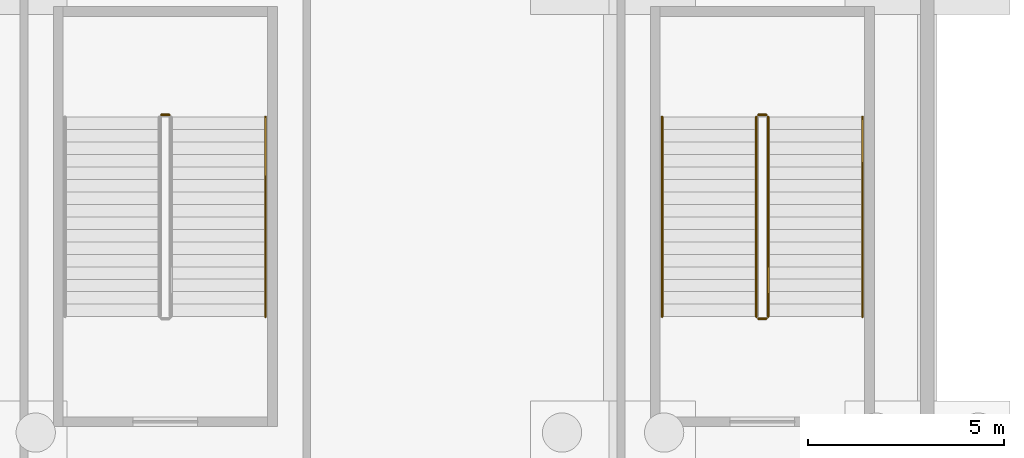
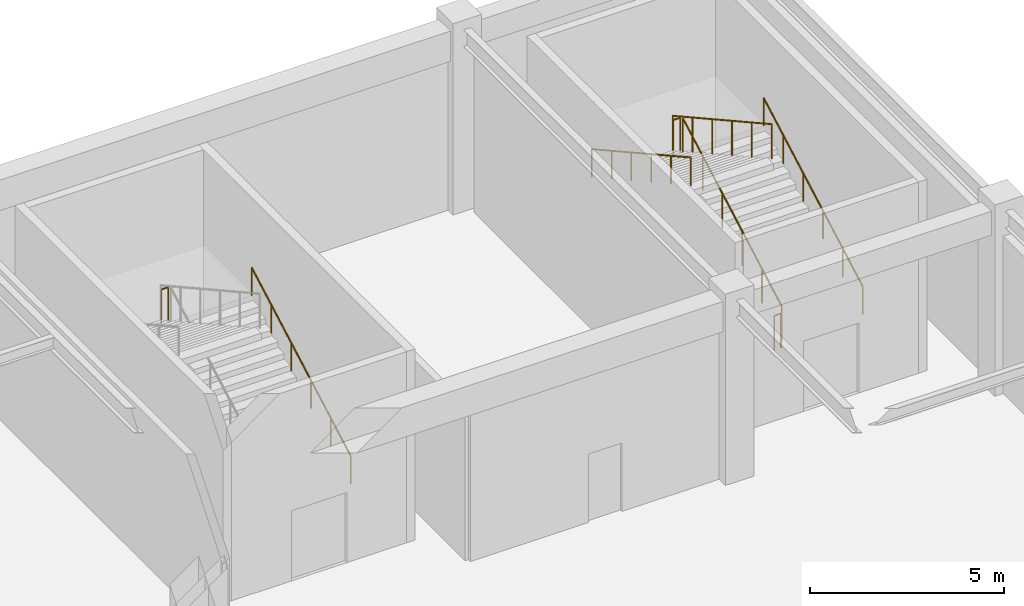
# One storey, part 120 of 121: 8 railings.
"""IFC4 building model written with IfcOpenShell, lengths in metres."""

import ifcopenshell
import ifcopenshell.guid

model = None  # the IFC model being written
_history = None  # IfcOwnerHistory: only IFC2X3 demands one
_inside = {}  # id of a spatial element -> (the spatial element, [elements in it])
_under = {}  # id of a project, library or spatial element -> (it, [spatial elements below it])
_declared = {}  # id of a project -> (the project, [libraries it declares])
_typed = {}  # id of a type object -> (the type object, [elements of that type])
_made_of = {}  # id of a material, layer set ... -> (it, [elements and type objects made of it])


def new_model(schema):
    """Start an empty IFC model of exactly this schema.

    Asked for "IFC4X3", IfcOpenShell would pick the latest addendum, in which some entities
    have other attributes; the version numbers below select the first issue.
    IFC2X3 requires an IfcOwnerHistory on every rooted entity: one is made here for all.
    """
    global model, _history
    if schema == "IFC4X3":
        model = ifcopenshell.file(schema_version=(4, 3, 0, 0))
    else:
        model = ifcopenshell.file(schema=schema)
    _inside.clear()
    _under.clear()
    _declared.clear()
    _typed.clear()
    _made_of.clear()
    _history = None
    if model.schema == "IFC2X3":
        org = make("IfcOrganization", Name="unknown")
        user = make(
            "IfcPersonAndOrganization",
            ThePerson=make("IfcPerson", FamilyName="unknown"),
            TheOrganization=org,
        )
        app = make(
            "IfcApplication",
            ApplicationDeveloper=org,
            Version="unknown",
            ApplicationFullName="unknown",
            ApplicationIdentifier="unknown",
        )
        _history = make(
            "IfcOwnerHistory",
            OwningUser=user,
            OwningApplication=app,
            ChangeAction="ADDED",
            CreationDate=0,
        )
    return model


def make(cls, **values):
    """One entity of the class cls with the attributes given. An attribute that is None is left unset."""
    return model.create_entity(
        cls, **{name: value for name, value in values.items() if value is not None}
    )


def rooted(cls, **values):
    """An entity with a GlobalId (a new one), such as an element, a storey or a relation."""
    return make(cls, GlobalId=ifcopenshell.guid.new(), OwnerHistory=_history, **values)


def si_unit(unit_type, name, prefix=None):
    """IfcSIUnit, for example si_unit("LENGTHUNIT", "METRE", prefix="MILLI")."""
    return make("IfcSIUnit", UnitType=unit_type, Prefix=prefix, Name=name)


def assignment(units):
    """IfcUnitAssignment: the units of a project."""
    return None if units is None else make("IfcUnitAssignment", Units=units)


def point(xyz):
    """IfcCartesianPoint."""
    return None if xyz is None else make("IfcCartesianPoint", Coordinates=xyz)


def direction(xyz):
    """IfcDirection."""
    return None if xyz is None else make("IfcDirection", DirectionRatios=xyz)


def frame(location, z_axis=None, x_axis=None):
    """IfcAxis2Placement3D, a coordinate frame: its origin and axes. An axis left out is left unset."""
    return make(
        "IfcAxis2Placement3D",
        Location=point(location),
        Axis=direction(z_axis),
        RefDirection=direction(x_axis),
    )


def frame_2d(location, x_axis=None):
    """IfcAxis2Placement2D, a coordinate frame in the plane: its origin and x axis."""
    return make(
        "IfcAxis2Placement2D", Location=point(location), RefDirection=direction(x_axis)
    )


def origin():
    """The frame at (0, 0, 0) with its axes left unset."""
    return frame((0.0, 0.0, 0.0))


def origin_2d():
    """The frame at (0, 0) in the plane with its x axis left unset."""
    return frame_2d((0.0, 0.0))


def place(relative_to, where):
    """IfcLocalPlacement: puts the frame where relative to a parent placement (None: the world)."""
    return make(
        "IfcLocalPlacement", PlacementRelTo=relative_to, RelativePlacement=where
    )


def context(
    kind, dimensions, precision=None, world=None, true_north=None, identifier=None
):
    """IfcGeometricRepresentationContext, for example the 3D "Model" context."""
    return make(
        "IfcGeometricRepresentationContext",
        ContextIdentifier=identifier,
        ContextType=kind,
        CoordinateSpaceDimension=dimensions,
        Precision=precision,
        WorldCoordinateSystem=world,
        TrueNorth=true_north,
    )


def subcontext(parent, identifier, kind, view, scale=None):
    """IfcGeometricRepresentationSubContext, for example "Body" below "Model"."""
    return make(
        "IfcGeometricRepresentationSubContext",
        ContextIdentifier=identifier,
        ContextType=kind,
        ParentContext=parent,
        TargetScale=scale,
        TargetView=view,
    )


def project(units=None, contexts=None):
    """IfcProject with its units and contexts."""
    return rooted(
        "IfcProject",
        Name="project",
        RepresentationContexts=contexts,
        UnitsInContext=assignment(units),
    )


def spatial(cls, under=None, at=None, **own):
    """A site, building, storey or space (cls), placed at a placement, below another one or the project."""
    s = rooted(cls, ObjectPlacement=at, **own)
    if under is not None:
        _under.setdefault(under.id(), (under, []))[1].append(s)
    return s


def profile(cls, at=None, kind="AREA", **sizes):
    """A parametric profile (cls). Its sizes go by their IFC names, for example OverallWidth=200.0."""
    return make(cls, ProfileType=kind, Position=at, **sizes)


def circle(**sizes):
    """IfcCircleProfileDef."""
    return profile("IfcCircleProfileDef", **sizes)


def extrude(swept, where, along, depth):
    """IfcExtrudedAreaSolid: the profile swept, set in the frame where, extruded along a direction by depth."""
    return make(
        "IfcExtrudedAreaSolid",
        SweptArea=swept,
        Position=where,
        ExtrudedDirection=direction(along),
        Depth=depth,
    )


def shape(context_of_items, identifier, shape_type, items):
    """IfcShapeRepresentation: the items that make up one representation, for example the "Body"."""
    return make(
        "IfcShapeRepresentation",
        ContextOfItems=context_of_items,
        RepresentationIdentifier=identifier,
        RepresentationType=shape_type,
        Items=items,
    )


def material(Name=None, Category=None):
    """IfcMaterial."""
    return make("IfcMaterial", Name=Name, Category=Category)


def made_of(thing, what):
    """Note that an element or type object is made of a material, layer set ...; save() writes the relation."""
    if what is not None:
        _made_of.setdefault(what.id(), (what, []))[1].append(thing)
    return thing


def type_object(cls, material=None, **own):
    """A type object (cls), such as IfcWallType, which elements share."""
    return made_of(rooted(cls, **own), material)


def element(
    cls,
    number,
    at=None,
    inside=None,
    cuts=None,
    type_object=None,
    material=None,
    context=None,
    identifier="Body",
    shape_type=None,
    held_by="IfcProductDefinitionShape",
    body=None,
    shapes=None,
    **own,
):
    """One element of the class cls, such as IfcWall. Its Tag is "e" and its number.

    at: its placement. inside: the storey or other place that contains it. cuts: it is an
    opening in that element (IfcRelVoidsElement). A single representation is given by context,
    identifier, shape_type and body (its items); several are given by shapes. held_by: the class
    of the entity that holds the representations. save() writes the other relations.
    """
    e = rooted(cls, Tag="e%d" % number, ObjectPlacement=at, **own)
    if body is not None:
        shapes = [shape(context, identifier, shape_type, body)]
    if shapes is not None:
        e.Representation = make(held_by, Representations=shapes)
    if inside is not None:
        _inside.setdefault(inside.id(), (inside, []))[1].append(e)
    if cuts is not None:
        rooted(
            "IfcRelVoidsElement", RelatingBuildingElement=cuts, RelatedOpeningElement=e
        )
    if type_object is not None:
        _typed.setdefault(type_object.id(), (type_object, []))[1].append(e)
    return made_of(e, material)


def aggregate(whole, parts):
    """IfcRelAggregates: a whole, such as a stair, and the parts it consists of."""
    return rooted("IfcRelAggregates", RelatingObject=whole, RelatedObjects=parts)


def save(model, path):
    """Write the relations noted so far, then the file.

    IfcRelAggregates (storeys below a building ...), IfcRelContainedInSpatialStructure (elements
    in a storey), IfcRelDefinesByType, IfcRelAssociatesMaterial and IfcRelDeclares: one each for
    every whole, place, type object, material and project.
    """
    for whole, parts in _under.values():
        aggregate(whole, parts)
    for where, things in _inside.values():
        rooted(
            "IfcRelContainedInSpatialStructure",
            RelatedElements=things,
            RelatingStructure=where,
        )
    for kind, things in _typed.values():
        rooted("IfcRelDefinesByType", RelatedObjects=things, RelatingType=kind)
    for what, things in _made_of.values():
        rooted("IfcRelAssociatesMaterial", RelatedObjects=things, RelatingMaterial=what)
    for by, libraries in _declared.values():
        rooted("IfcRelDeclares", RelatingContext=by, RelatedDefinitions=libraries)
    model.write(path)


model = new_model("IFC4")

# Units and contexts
model_context = context("Model", 3, precision=1e-05, world=origin(), true_north=direction((0.0, 1.0)))
body_context = subcontext(model_context, "Body", "Model", "MODEL_VIEW")
ifc_project = project(units=[si_unit("LENGTHUNIT", "METRE"), si_unit("AREAUNIT", "SQUARE_METRE"), si_unit("VOLUMEUNIT", "CUBIC_METRE"), si_unit("PLANEANGLEUNIT", "RADIAN"), si_unit("MASSUNIT", "GRAM", prefix="KILO")], contexts=[model_context])

# Site, building, storey
site_placement = place(None, origin())
site = spatial("IfcSite", under=ifc_project, at=site_placement, CompositionType="ELEMENT")
building_placement = place(site_placement, origin())
building = spatial("IfcBuilding", under=site, at=building_placement, Name="Cuetzalor Civic Arena", CompositionType="ELEMENT")
storey_placement = place(building_placement, origin())
storey = spatial("IfcBuildingStorey", under=building, at=storey_placement, Name="L00", CompositionType="ELEMENT", Elevation=0.0)

# Railings
ifc_material_1 = material(Name="Reseda-green architectural Steel S355 balustrade", Category="steel")
railing_type_1 = type_object("IfcRailingType", Name="InteriorVoidBalustrade_1100", PredefinedType="BALUSTRADE", material=ifc_material_1)
railing_1_placement = place(storey_placement, frame((52.699951171875, 70.887939453125, 3.0)))
element("IfcRailing", 1, at=railing_1_placement, inside=storey, type_object=railing_type_1, Name="L00 ST-27 stair guard 2", PredefinedType="BALUSTRADE", context=body_context, shape_type="SweptSolid", body=[
    extrude(circle(Radius=0.02392578125, at=origin_2d()), frame((0.0, 0.0, 1.0810546875), z_axis=(-1.0, 0.0, 0.0), x_axis=(0.0, -1.0, 0.0)), (0.0, 0.0, 1.0), 0.199951171875),
    extrude(circle(Radius=0.02099609375, at=origin_2d()), origin(), (0.0, 0.0, 1.0), 1.056884765625),
    extrude(circle(Radius=0.02099609375, at=origin_2d()), frame((-0.199951171875, 0.0, 0.0)), (0.0, 0.0, 1.0), 1.056884765625),
])
railing_2_placement = place(storey_placement, frame((67.949951171875, 65.75, 0.176513671875)))
element("IfcRailing", 2, at=railing_2_placement, inside=storey, type_object=railing_type_1, Name="L00 ST-28 stair guard 1", PredefinedType="BALUSTRADE", context=body_context, shape_type="SweptSolid", body=[
    extrude(circle(Radius=0.02392578125, at=origin_2d()), frame((0.0, 0.0, 1.0810546875), z_axis=(0.0, 0.874384777292, 0.485233202945), x_axis=(-1.0, 0.0, 0.0)), (0.0, 0.0, 1.0), 5.81884765625),
    extrude(circle(Radius=0.02099609375, at=origin_2d()), origin(), (0.0, 0.0, 1.0), 1.056884765625),
    extrude(circle(Radius=0.02099609375, at=origin_2d()), frame((0.0, 1.017578125, 0.564697265625)), (0.0, 0.0, 1.0), 1.056884765625),
    extrude(circle(Radius=0.02099609375, at=origin_2d()), frame((0.0, 2.03515625, 1.12939453125)), (0.0, 0.0, 1.0), 1.056884765625),
    extrude(circle(Radius=0.02099609375, at=origin_2d()), frame((0.0, 3.052734375, 1.694091796875)), (0.0, 0.0, 1.0), 1.056884765625),
    extrude(circle(Radius=0.02099609375, at=origin_2d()), frame((0.0, 4.0703125, 2.2587890625)), (0.0, 0.0, 1.0), 1.056884765625),
    extrude(circle(Radius=0.02099609375, at=origin_2d()), frame((0.0, 5.087890625, 2.823486328125)), (0.0, 0.0, 1.0), 1.056884765625),
])
railing_3_placement = place(storey_placement, frame((67.89990234375, 70.887939453125, 3.0)))
element("IfcRailing", 3, at=railing_3_placement, inside=storey, type_object=railing_type_1, Name="L00 ST-28 stair guard 2", PredefinedType="BALUSTRADE", context=body_context, shape_type="SweptSolid", body=[
    extrude(circle(Radius=0.02392578125, at=origin_2d()), frame((0.0, 0.0, 1.0810546875), z_axis=(-1.0, 0.0, 0.0), x_axis=(0.0, -1.0, 0.0)), (0.0, 0.0, 1.0), 0.199951171875),
    extrude(circle(Radius=0.02099609375, at=origin_2d()), origin(), (0.0, 0.0, 1.0), 1.056884765625),
    extrude(circle(Radius=0.02099609375, at=origin_2d()), frame((-0.199951171875, 0.0, 0.0)), (0.0, 0.0, 1.0), 1.056884765625),
])
railing_4_placement = place(storey_placement, frame((67.64990234375, 70.837890625, 3.176513671875)))
element("IfcRailing", 4, at=railing_4_placement, inside=storey, type_object=railing_type_1, Name="L00 ST-28 stair guard 3", PredefinedType="BALUSTRADE", context=body_context, shape_type="SweptSolid", body=[
    extrude(circle(Radius=0.02392578125, at=origin_2d()), frame((0.0, 0.0, 1.0810546875), z_axis=(0.0, -0.874384777292, 0.485233202945), x_axis=(1.0, 0.0, 0.0)), (0.0, 0.0, 1.0), 5.81884765625),
    extrude(circle(Radius=0.02099609375, at=origin_2d()), origin(), (0.0, 0.0, 1.0), 1.056884765625),
    extrude(circle(Radius=0.02099609375, at=origin_2d()), frame((0.0, -1.017578125, 0.564697265625)), (0.0, 0.0, 1.0), 1.056884765625),
    extrude(circle(Radius=0.02099609375, at=origin_2d()), frame((0.0, -2.03515625, 1.12939453125)), (0.0, 0.0, 1.0), 1.056884765625),
    extrude(circle(Radius=0.02099609375, at=origin_2d()), frame((0.0, -3.052734375, 1.694091796875)), (0.0, 0.0, 1.0), 1.056884765625),
    extrude(circle(Radius=0.02099609375, at=origin_2d()), frame((0.0, -4.0703125, 2.2587890625)), (0.0, 0.0, 1.0), 1.056884765625),
    extrude(circle(Radius=0.02099609375, at=origin_2d()), frame((0.0, -5.087890625, 2.823486328125)), (0.0, 0.0, 1.0), 1.056884765625),
])
railing_5_placement = place(storey_placement, frame((67.89990234375, 65.699951171875, 0.0)))
element("IfcRailing", 5, at=railing_5_placement, inside=storey, type_object=railing_type_1, Name="L00 ST-28 stair guard 4", PredefinedType="BALUSTRADE", context=body_context, shape_type="SweptSolid", body=[
    extrude(circle(Radius=0.02392578125, at=origin_2d()), frame((0.0, 0.0, 1.0810546875), z_axis=(-1.0, 0.0, 0.0), x_axis=(0.0, -1.0, 0.0)), (0.0, 0.0, 1.0), 0.199951171875),
    extrude(circle(Radius=0.02099609375, at=origin_2d()), origin(), (0.0, 0.0, 1.0), 1.056884765625),
    extrude(circle(Radius=0.02099609375, at=origin_2d()), frame((-0.199951171875, 0.0, 0.0)), (0.0, 0.0, 1.0), 1.056884765625),
])
ifc_material_2 = material(Name="Galvanised steel S355", Category="steel")
railing_type_2 = type_object("IfcRailingType", Name="StairPitchHandrail_900", PredefinedType="HANDRAIL", material=ifc_material_2)
for number, where, name in (
    (6, (55.14990234375, 65.75, 0.176513671875), "L00 ST-27 stair handrail 1"),
    (7, (70.35009765625, 65.75, 0.176513671875), "L00 ST-28 stair handrail 1"),
):
    element("IfcRailing", number, at=place(storey_placement, frame(where)), inside=storey, type_object=railing_type_2, Name=name, PredefinedType="HANDRAIL", context=body_context, shape_type="SweptSolid", body=[
        extrude(circle(Radius=0.02392578125, at=origin_2d()), frame((0.0, 0.0, 0.8759765625), z_axis=(0.0, 0.874384777292, 0.485233202945), x_axis=(-1.0, 0.0, 0.0)), (0.0, 0.0, 1.0), 5.81884765625),
        extrude(circle(Radius=0.02099609375, at=origin_2d()), origin(), (0.0, 0.0, 1.0), 0.851806640625),
        extrude(circle(Radius=0.02099609375, at=origin_2d()), frame((0.0, 1.017578125, 0.564697265625)), (0.0, 0.0, 1.0), 0.851806640625),
        extrude(circle(Radius=0.02099609375, at=origin_2d()), frame((0.0, 2.03515625, 1.12939453125)), (0.0, 0.0, 1.0), 0.851806640625),
        extrude(circle(Radius=0.02099609375, at=origin_2d()), frame((0.0, 3.052734375, 1.694091796875)), (0.0, 0.0, 1.0), 0.851806640625),
        extrude(circle(Radius=0.02099609375, at=origin_2d()), frame((0.0, 4.0703125, 2.2587890625)), (0.0, 0.0, 1.0), 0.851806640625),
        extrude(circle(Radius=0.02099609375, at=origin_2d()), frame((0.0, 5.087890625, 2.823486328125)), (0.0, 0.0, 1.0), 0.851806640625),
    ])
railing_6_placement = place(storey_placement, frame((65.25, 70.837890625, 3.176513671875)))
element("IfcRailing", 8, at=railing_6_placement, inside=storey, type_object=railing_type_2, Name="L00 ST-28 stair handrail 2", PredefinedType="HANDRAIL", context=body_context, shape_type="SweptSolid", body=[
    extrude(circle(Radius=0.02392578125, at=origin_2d()), frame((0.0, 0.0, 0.8759765625), z_axis=(0.0, -0.874384777292, 0.485233202945), x_axis=(1.0, 0.0, 0.0)), (0.0, 0.0, 1.0), 5.81884765625),
    extrude(circle(Radius=0.02099609375, at=origin_2d()), origin(), (0.0, 0.0, 1.0), 0.851806640625),
    extrude(circle(Radius=0.02099609375, at=origin_2d()), frame((0.0, -1.017578125, 0.564697265625)), (0.0, 0.0, 1.0), 0.851806640625),
    extrude(circle(Radius=0.02099609375, at=origin_2d()), frame((0.0, -2.03515625, 1.12939453125)), (0.0, 0.0, 1.0), 0.851806640625),
    extrude(circle(Radius=0.02099609375, at=origin_2d()), frame((0.0, -3.052734375, 1.694091796875)), (0.0, 0.0, 1.0), 0.851806640625),
    extrude(circle(Radius=0.02099609375, at=origin_2d()), frame((0.0, -4.0703125, 2.2587890625)), (0.0, 0.0, 1.0), 0.851806640625),
    extrude(circle(Radius=0.02099609375, at=origin_2d()), frame((0.0, -5.087890625, 2.823486328125)), (0.0, 0.0, 1.0), 0.851806640625),
])

save(model, "model.ifc")
